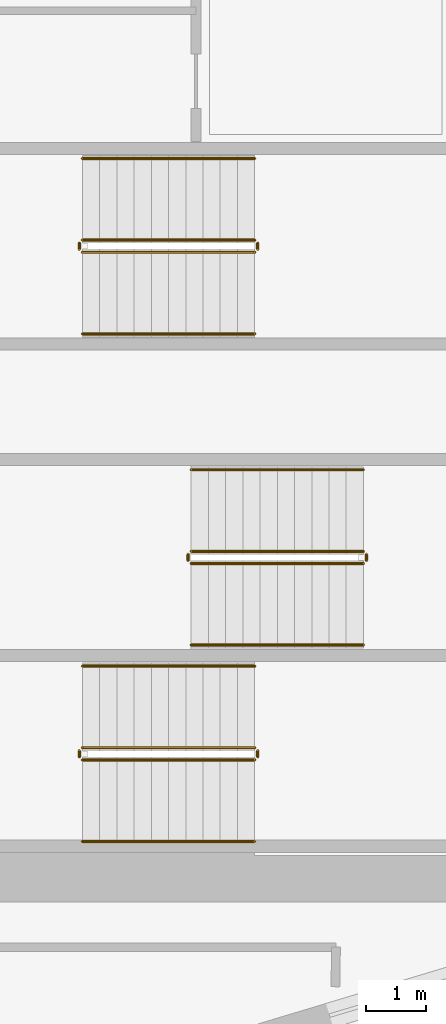
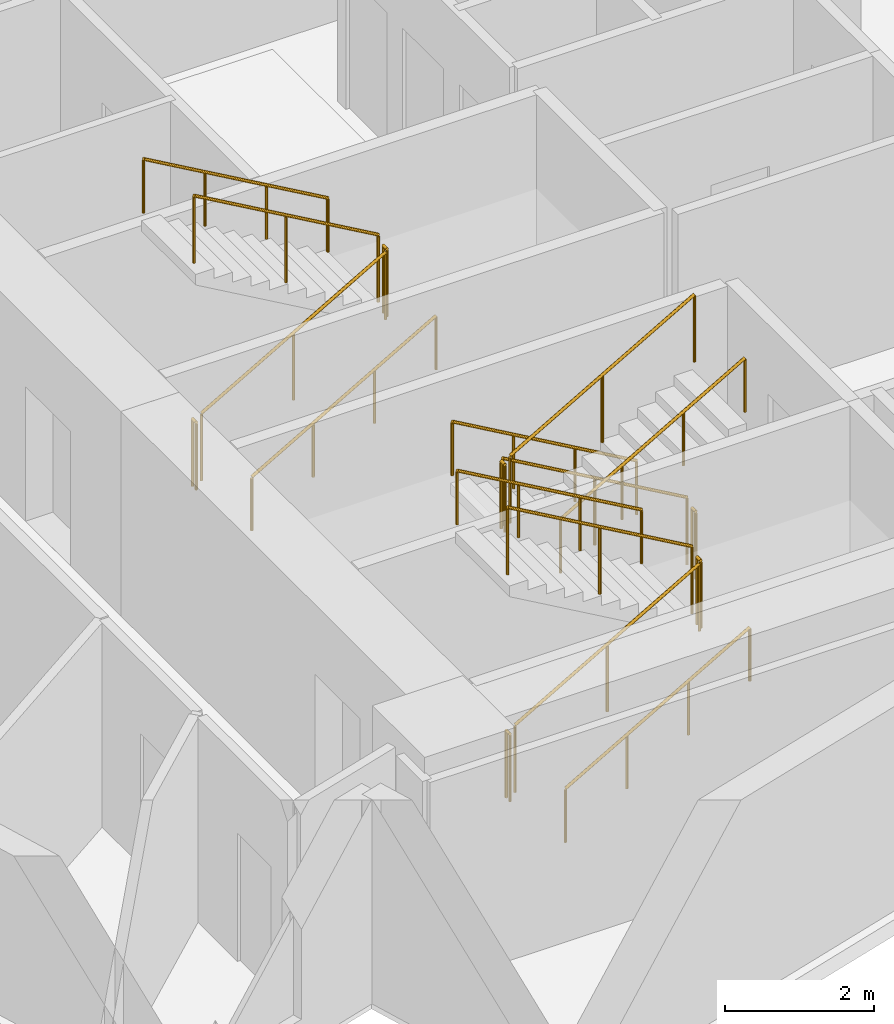
# One storey, part 14 of 15: 18 railings.
"""IFC4 building model written with IfcOpenShell, lengths in metres."""

import ifcopenshell
import ifcopenshell.guid

model = None  # the IFC model being written
_history = None  # IfcOwnerHistory: only IFC2X3 demands one
_inside = {}  # id of a spatial element -> (the spatial element, [elements in it])
_under = {}  # id of a project, library or spatial element -> (it, [spatial elements below it])
_declared = {}  # id of a project -> (the project, [libraries it declares])
_typed = {}  # id of a type object -> (the type object, [elements of that type])
_made_of = {}  # id of a material, layer set ... -> (it, [elements and type objects made of it])


def new_model(schema):
    """Start an empty IFC model of exactly this schema.

    Asked for "IFC4X3", IfcOpenShell would pick the latest addendum, in which some entities
    have other attributes; the version numbers below select the first issue.
    IFC2X3 requires an IfcOwnerHistory on every rooted entity: one is made here for all.
    """
    global model, _history
    if schema == "IFC4X3":
        model = ifcopenshell.file(schema_version=(4, 3, 0, 0))
    else:
        model = ifcopenshell.file(schema=schema)
    _inside.clear()
    _under.clear()
    _declared.clear()
    _typed.clear()
    _made_of.clear()
    _history = None
    if model.schema == "IFC2X3":
        org = make("IfcOrganization", Name="unknown")
        user = make(
            "IfcPersonAndOrganization",
            ThePerson=make("IfcPerson", FamilyName="unknown"),
            TheOrganization=org,
        )
        app = make(
            "IfcApplication",
            ApplicationDeveloper=org,
            Version="unknown",
            ApplicationFullName="unknown",
            ApplicationIdentifier="unknown",
        )
        _history = make(
            "IfcOwnerHistory",
            OwningUser=user,
            OwningApplication=app,
            ChangeAction="ADDED",
            CreationDate=0,
        )
    return model


def make(cls, **values):
    """One entity of the class cls with the attributes given. An attribute that is None is left unset."""
    return model.create_entity(
        cls, **{name: value for name, value in values.items() if value is not None}
    )


def rooted(cls, **values):
    """An entity with a GlobalId (a new one), such as an element, a storey or a relation."""
    return make(cls, GlobalId=ifcopenshell.guid.new(), OwnerHistory=_history, **values)


def si_unit(unit_type, name, prefix=None):
    """IfcSIUnit, for example si_unit("LENGTHUNIT", "METRE", prefix="MILLI")."""
    return make("IfcSIUnit", UnitType=unit_type, Prefix=prefix, Name=name)


def assignment(units):
    """IfcUnitAssignment: the units of a project."""
    return None if units is None else make("IfcUnitAssignment", Units=units)


def point(xyz):
    """IfcCartesianPoint."""
    return None if xyz is None else make("IfcCartesianPoint", Coordinates=xyz)


def direction(xyz):
    """IfcDirection."""
    return None if xyz is None else make("IfcDirection", DirectionRatios=xyz)


def frame(location, z_axis=None, x_axis=None):
    """IfcAxis2Placement3D, a coordinate frame: its origin and axes. An axis left out is left unset."""
    return make(
        "IfcAxis2Placement3D",
        Location=point(location),
        Axis=direction(z_axis),
        RefDirection=direction(x_axis),
    )


def frame_2d(location, x_axis=None):
    """IfcAxis2Placement2D, a coordinate frame in the plane: its origin and x axis."""
    return make(
        "IfcAxis2Placement2D", Location=point(location), RefDirection=direction(x_axis)
    )


def origin():
    """The frame at (0, 0, 0) with its axes left unset."""
    return frame((0.0, 0.0, 0.0))


def origin_2d():
    """The frame at (0, 0) in the plane with its x axis left unset."""
    return frame_2d((0.0, 0.0))


def place(relative_to, where):
    """IfcLocalPlacement: puts the frame where relative to a parent placement (None: the world)."""
    return make(
        "IfcLocalPlacement", PlacementRelTo=relative_to, RelativePlacement=where
    )


def context(
    kind, dimensions, precision=None, world=None, true_north=None, identifier=None
):
    """IfcGeometricRepresentationContext, for example the 3D "Model" context."""
    return make(
        "IfcGeometricRepresentationContext",
        ContextIdentifier=identifier,
        ContextType=kind,
        CoordinateSpaceDimension=dimensions,
        Precision=precision,
        WorldCoordinateSystem=world,
        TrueNorth=true_north,
    )


def subcontext(parent, identifier, kind, view, scale=None):
    """IfcGeometricRepresentationSubContext, for example "Body" below "Model"."""
    return make(
        "IfcGeometricRepresentationSubContext",
        ContextIdentifier=identifier,
        ContextType=kind,
        ParentContext=parent,
        TargetScale=scale,
        TargetView=view,
    )


def project(units=None, contexts=None):
    """IfcProject with its units and contexts."""
    return rooted(
        "IfcProject",
        Name="project",
        RepresentationContexts=contexts,
        UnitsInContext=assignment(units),
    )


def spatial(cls, under=None, at=None, **own):
    """A site, building, storey or space (cls), placed at a placement, below another one or the project."""
    s = rooted(cls, ObjectPlacement=at, **own)
    if under is not None:
        _under.setdefault(under.id(), (under, []))[1].append(s)
    return s


def profile(cls, at=None, kind="AREA", **sizes):
    """A parametric profile (cls). Its sizes go by their IFC names, for example OverallWidth=200.0."""
    return make(cls, ProfileType=kind, Position=at, **sizes)


def circle(**sizes):
    """IfcCircleProfileDef."""
    return profile("IfcCircleProfileDef", **sizes)


def extrude(swept, where, along, depth):
    """IfcExtrudedAreaSolid: the profile swept, set in the frame where, extruded along a direction by depth."""
    return make(
        "IfcExtrudedAreaSolid",
        SweptArea=swept,
        Position=where,
        ExtrudedDirection=direction(along),
        Depth=depth,
    )


def shape(context_of_items, identifier, shape_type, items):
    """IfcShapeRepresentation: the items that make up one representation, for example the "Body"."""
    return make(
        "IfcShapeRepresentation",
        ContextOfItems=context_of_items,
        RepresentationIdentifier=identifier,
        RepresentationType=shape_type,
        Items=items,
    )


def material(Name=None, Category=None):
    """IfcMaterial."""
    return make("IfcMaterial", Name=Name, Category=Category)


def made_of(thing, what):
    """Note that an element or type object is made of a material, layer set ...; save() writes the relation."""
    if what is not None:
        _made_of.setdefault(what.id(), (what, []))[1].append(thing)
    return thing


def type_object(cls, material=None, **own):
    """A type object (cls), such as IfcWallType, which elements share."""
    return made_of(rooted(cls, **own), material)


def element(
    cls,
    number,
    at=None,
    inside=None,
    cuts=None,
    type_object=None,
    material=None,
    context=None,
    identifier="Body",
    shape_type=None,
    held_by="IfcProductDefinitionShape",
    body=None,
    shapes=None,
    **own,
):
    """One element of the class cls, such as IfcWall. Its Tag is "e" and its number.

    at: its placement. inside: the storey or other place that contains it. cuts: it is an
    opening in that element (IfcRelVoidsElement). A single representation is given by context,
    identifier, shape_type and body (its items); several are given by shapes. held_by: the class
    of the entity that holds the representations. save() writes the other relations.
    """
    e = rooted(cls, Tag="e%d" % number, ObjectPlacement=at, **own)
    if body is not None:
        shapes = [shape(context, identifier, shape_type, body)]
    if shapes is not None:
        e.Representation = make(held_by, Representations=shapes)
    if inside is not None:
        _inside.setdefault(inside.id(), (inside, []))[1].append(e)
    if cuts is not None:
        rooted(
            "IfcRelVoidsElement", RelatingBuildingElement=cuts, RelatedOpeningElement=e
        )
    if type_object is not None:
        _typed.setdefault(type_object.id(), (type_object, []))[1].append(e)
    return made_of(e, material)


def aggregate(whole, parts):
    """IfcRelAggregates: a whole, such as a stair, and the parts it consists of."""
    return rooted("IfcRelAggregates", RelatingObject=whole, RelatedObjects=parts)


def save(model, path):
    """Write the relations noted so far, then the file.

    IfcRelAggregates (storeys below a building ...), IfcRelContainedInSpatialStructure (elements
    in a storey), IfcRelDefinesByType, IfcRelAssociatesMaterial and IfcRelDeclares: one each for
    every whole, place, type object, material and project.
    """
    for whole, parts in _under.values():
        aggregate(whole, parts)
    for where, things in _inside.values():
        rooted(
            "IfcRelContainedInSpatialStructure",
            RelatedElements=things,
            RelatingStructure=where,
        )
    for kind, things in _typed.values():
        rooted("IfcRelDefinesByType", RelatedObjects=things, RelatingType=kind)
    for what, things in _made_of.values():
        rooted("IfcRelAssociatesMaterial", RelatedObjects=things, RelatingMaterial=what)
    for by, libraries in _declared.values():
        rooted("IfcRelDeclares", RelatingContext=by, RelatedDefinitions=libraries)
    model.write(path)


model = new_model("IFC4")

# Units and contexts
model_context = context("Model", 3, precision=1e-05, world=origin(), true_north=direction((0.0, 1.0)))
body_context = subcontext(model_context, "Body", "Model", "MODEL_VIEW")
ifc_project = project(units=[si_unit("LENGTHUNIT", "METRE"), si_unit("AREAUNIT", "SQUARE_METRE"), si_unit("VOLUMEUNIT", "CUBIC_METRE"), si_unit("PLANEANGLEUNIT", "RADIAN"), si_unit("MASSUNIT", "GRAM", prefix="KILO")], contexts=[model_context])

# Site, building, storey
site_placement = place(None, origin())
site = spatial("IfcSite", under=ifc_project, at=site_placement, CompositionType="ELEMENT")
building_placement = place(site_placement, origin())
building = spatial("IfcBuilding", under=site, at=building_placement, Name="Narakoshi Arena Tower", CompositionType="ELEMENT")
storey_placement = place(building_placement, frame((0.0, 0.0, 157.5)))
storey = spatial("IfcBuildingStorey", under=building, at=storey_placement, Name="L42", CompositionType="ELEMENT", Elevation=157.5)

# Railings
ifc_material_1 = material(Name="Clear low-iron laminated structural glass", Category="glass")
railing_type_1 = type_object("IfcRailingType", Name="RL-BAL-1100", PredefinedType="BALUSTRADE", material=ifc_material_1)
railing_1_placement = place(storey_placement, frame((74.39990234375, 36.949951171875, 0.16357421875)))
element("IfcRailing", 1, at=railing_1_placement, inside=storey, type_object=railing_type_1, Name="L42 ST1 stair guard 1", PredefinedType="BALUSTRADE", context=body_context, shape_type="SweptSolid", body=[
    extrude(circle(Radius=0.02392578125, at=origin_2d()), frame((0.0, 0.0, 1.09619140625), z_axis=(0.86721270334, 0.0, 0.497937874806), x_axis=(0.0, 1.0, 0.0)), (0.0, 0.0, 1.0), 3.28662109375),
    extrude(circle(Radius=0.02099609375, at=origin_2d()), origin(), (0.0, 0.0, 1.0), 1.072021484375),
    extrude(circle(Radius=0.02099609375, at=origin_2d()), frame((1.425048828125, 0.0, 0.818359375)), (0.0, 0.0, 1.0), 1.072021484375),
    extrude(circle(Radius=0.02099609375, at=origin_2d()), frame((2.85009765625, 0.0, 1.636474609375)), (0.0, 0.0, 1.0), 1.072021484375),
])
railing_2_placement = place(storey_placement, frame((77.300048828125, 37.0, 1.800048828125)))
element("IfcRailing", 2, at=railing_2_placement, inside=storey, type_object=railing_type_1, Name="L42 ST1 stair guard 2", PredefinedType="BALUSTRADE", context=body_context, shape_type="SweptSolid", body=[
    extrude(circle(Radius=0.02392578125, at=origin_2d()), frame((0.0, 0.0, 1.09619140625), z_axis=(0.0, 1.0, 0.0), x_axis=(-1.0, 0.0, 0.0)), (0.0, 0.0, 1.0), 0.10009765625),
    extrude(circle(Radius=0.02099609375, at=origin_2d()), origin(), (0.0, 0.0, 1.0), 1.072021484375),
    extrude(circle(Radius=0.02099609375, at=origin_2d()), frame((0.0, 0.10009765625, 0.0)), (0.0, 0.0, 1.0), 1.072021484375),
])
railing_3_placement = place(storey_placement, frame((77.25, 37.14990234375, 1.963623046875)))
element("IfcRailing", 3, at=railing_3_placement, inside=storey, type_object=railing_type_1, Name="L42 ST1 stair guard 3", PredefinedType="BALUSTRADE", context=body_context, shape_type="SweptSolid", body=[
    extrude(circle(Radius=0.02392578125, at=origin_2d()), frame((0.0, 0.0, 1.09619140625), z_axis=(-0.86721270334, 0.0, 0.497937874806), x_axis=(0.0, -1.0, 0.0)), (0.0, 0.0, 1.0), 3.28662109375),
    extrude(circle(Radius=0.02099609375, at=origin_2d()), origin(), (0.0, 0.0, 1.0), 1.072021484375),
    extrude(circle(Radius=0.02099609375, at=origin_2d()), frame((-1.425048828125, 0.0, 0.818359375)), (0.0, 0.0, 1.0), 1.072021484375),
    extrude(circle(Radius=0.02099609375, at=origin_2d()), frame((-2.85009765625, 0.0, 1.636474609375)), (0.0, 0.0, 1.0), 1.072021484375),
])
railing_4_placement = place(storey_placement, frame((74.35009765625, 37.0, 0.0)))
element("IfcRailing", 4, at=railing_4_placement, inside=storey, type_object=railing_type_1, Name="L42 ST1 stair guard 4", PredefinedType="BALUSTRADE", context=body_context, shape_type="SweptSolid", body=[
    extrude(circle(Radius=0.02392578125, at=origin_2d()), frame((0.0, 0.0, 1.09619140625), z_axis=(0.0, 1.0, 0.0), x_axis=(-1.0, 0.0, 0.0)), (0.0, 0.0, 1.0), 0.10009765625),
    extrude(circle(Radius=0.02099609375, at=origin_2d()), origin(), (0.0, 0.0, 1.0), 1.072021484375),
    extrude(circle(Radius=0.02099609375, at=origin_2d()), frame((0.0, 0.10009765625, 0.0)), (0.0, 0.0, 1.0), 1.072021484375),
])
railing_5_placement = place(storey_placement, frame((79.050048828125, 40.39990234375, 0.16357421875)))
element("IfcRailing", 5, at=railing_5_placement, inside=storey, type_object=railing_type_1, Name="L42 ST2 stair guard 1", PredefinedType="BALUSTRADE", context=body_context, shape_type="SweptSolid", body=[
    extrude(circle(Radius=0.02392578125, at=origin_2d()), frame((0.0, 0.0, 1.09619140625), z_axis=(-0.86721270334, 0.0, 0.497937874806), x_axis=(0.0, -1.0, 0.0)), (0.0, 0.0, 1.0), 3.28662109375),
    extrude(circle(Radius=0.02099609375, at=origin_2d()), origin(), (0.0, 0.0, 1.0), 1.072021484375),
    extrude(circle(Radius=0.02099609375, at=origin_2d()), frame((-1.425048828125, 0.0, 0.818359375)), (0.0, 0.0, 1.0), 1.072021484375),
    extrude(circle(Radius=0.02099609375, at=origin_2d()), frame((-2.85009765625, 0.0, 1.636474609375)), (0.0, 0.0, 1.0), 1.072021484375),
])
railing_6_placement = place(storey_placement, frame((76.14990234375, 40.35009765625, 1.800048828125)))
element("IfcRailing", 6, at=railing_6_placement, inside=storey, type_object=railing_type_1, Name="L42 ST2 stair guard 2", PredefinedType="BALUSTRADE", context=body_context, shape_type="SweptSolid", body=[
    extrude(circle(Radius=0.02392578125, at=origin_2d()), frame((0.0, 0.0, 1.09619140625), z_axis=(0.0, -1.0, 0.0), x_axis=(1.0, 0.0, 0.0)), (0.0, 0.0, 1.0), 0.10009765625),
    extrude(circle(Radius=0.02099609375, at=origin_2d()), origin(), (0.0, 0.0, 1.0), 1.072021484375),
    extrude(circle(Radius=0.02099609375, at=origin_2d()), frame((0.0, -0.10009765625, 0.0)), (0.0, 0.0, 1.0), 1.072021484375),
])
railing_7_placement = place(storey_placement, frame((76.199951171875, 40.199951171875, 1.963623046875)))
element("IfcRailing", 7, at=railing_7_placement, inside=storey, type_object=railing_type_1, Name="L42 ST2 stair guard 3", PredefinedType="BALUSTRADE", context=body_context, shape_type="SweptSolid", body=[
    extrude(circle(Radius=0.02392578125, at=origin_2d()), frame((0.0, 0.0, 1.09619140625), z_axis=(0.86721270334, 0.0, 0.497937874806), x_axis=(0.0, 1.0, 0.0)), (0.0, 0.0, 1.0), 3.28662109375),
    extrude(circle(Radius=0.02099609375, at=origin_2d()), origin(), (0.0, 0.0, 1.0), 1.072021484375),
    extrude(circle(Radius=0.02099609375, at=origin_2d()), frame((1.425048828125, 0.0, 0.818359375)), (0.0, 0.0, 1.0), 1.072021484375),
    extrude(circle(Radius=0.02099609375, at=origin_2d()), frame((2.85009765625, 0.0, 1.636474609375)), (0.0, 0.0, 1.0), 1.072021484375),
])
railing_8_placement = place(storey_placement, frame((79.10009765625, 40.35009765625, 0.0)))
element("IfcRailing", 8, at=railing_8_placement, inside=storey, type_object=railing_type_1, Name="L42 ST2 stair guard 4", PredefinedType="BALUSTRADE", context=body_context, shape_type="SweptSolid", body=[
    extrude(circle(Radius=0.02392578125, at=origin_2d()), frame((0.0, 0.0, 1.09619140625), z_axis=(0.0, -1.0, 0.0), x_axis=(1.0, 0.0, 0.0)), (0.0, 0.0, 1.0), 0.10009765625),
    extrude(circle(Radius=0.02099609375, at=origin_2d()), origin(), (0.0, 0.0, 1.0), 1.072021484375),
    extrude(circle(Radius=0.02099609375, at=origin_2d()), frame((0.0, -0.10009765625, 0.0)), (0.0, 0.0, 1.0), 1.072021484375),
])
railing_9_placement = place(storey_placement, frame((74.39990234375, 45.35009765625, 0.16357421875)))
element("IfcRailing", 9, at=railing_9_placement, inside=storey, type_object=railing_type_1, Name="L42 ST3 stair guard 1", PredefinedType="BALUSTRADE", context=body_context, shape_type="SweptSolid", body=[
    extrude(circle(Radius=0.02392578125, at=origin_2d()), frame((0.0, 0.0, 1.09619140625), z_axis=(0.86721270334, 0.0, 0.497937874806), x_axis=(0.0, 1.0, 0.0)), (0.0, 0.0, 1.0), 3.28662109375),
    extrude(circle(Radius=0.02099609375, at=origin_2d()), origin(), (0.0, 0.0, 1.0), 1.072021484375),
    extrude(circle(Radius=0.02099609375, at=origin_2d()), frame((1.425048828125, 0.0, 0.818359375)), (0.0, 0.0, 1.0), 1.072021484375),
    extrude(circle(Radius=0.02099609375, at=origin_2d()), frame((2.85009765625, 0.0, 1.636474609375)), (0.0, 0.0, 1.0), 1.072021484375),
])
railing_10_placement = place(storey_placement, frame((77.300048828125, 45.39990234375, 1.800048828125)))
element("IfcRailing", 10, at=railing_10_placement, inside=storey, type_object=railing_type_1, Name="L42 ST3 stair guard 2", PredefinedType="BALUSTRADE", context=body_context, shape_type="SweptSolid", body=[
    extrude(circle(Radius=0.02392578125, at=origin_2d()), frame((0.0, 0.0, 1.09619140625), z_axis=(0.0, 1.0, 0.0), x_axis=(-1.0, 0.0, 0.0)), (0.0, 0.0, 1.0), 0.10009765625),
    extrude(circle(Radius=0.02099609375, at=origin_2d()), origin(), (0.0, 0.0, 1.0), 1.072021484375),
    extrude(circle(Radius=0.02099609375, at=origin_2d()), frame((0.0, 0.10009765625, 0.0)), (0.0, 0.0, 1.0), 1.072021484375),
])
railing_11_placement = place(storey_placement, frame((77.25, 45.550048828125, 1.963623046875)))
element("IfcRailing", 11, at=railing_11_placement, inside=storey, type_object=railing_type_1, Name="L42 ST3 stair guard 3", PredefinedType="BALUSTRADE", context=body_context, shape_type="SweptSolid", body=[
    extrude(circle(Radius=0.02392578125, at=origin_2d()), frame((0.0, 0.0, 1.09619140625), z_axis=(-0.86721270334, 0.0, 0.497937874806), x_axis=(0.0, -1.0, 0.0)), (0.0, 0.0, 1.0), 3.28662109375),
    extrude(circle(Radius=0.02099609375, at=origin_2d()), origin(), (0.0, 0.0, 1.0), 1.072021484375),
    extrude(circle(Radius=0.02099609375, at=origin_2d()), frame((-1.425048828125, 0.0, 0.818359375)), (0.0, 0.0, 1.0), 1.072021484375),
    extrude(circle(Radius=0.02099609375, at=origin_2d()), frame((-2.85009765625, 0.0, 1.636474609375)), (0.0, 0.0, 1.0), 1.072021484375),
])
railing_12_placement = place(storey_placement, frame((74.35009765625, 45.39990234375, 0.0)))
element("IfcRailing", 12, at=railing_12_placement, inside=storey, type_object=railing_type_1, Name="L42 ST3 stair guard 4", PredefinedType="BALUSTRADE", context=body_context, shape_type="SweptSolid", body=[
    extrude(circle(Radius=0.02392578125, at=origin_2d()), frame((0.0, 0.0, 1.09619140625), z_axis=(0.0, 1.0, 0.0), x_axis=(-1.0, 0.0, 0.0)), (0.0, 0.0, 1.0), 0.10009765625),
    extrude(circle(Radius=0.02099609375, at=origin_2d()), origin(), (0.0, 0.0, 1.0), 1.072021484375),
    extrude(circle(Radius=0.02099609375, at=origin_2d()), frame((0.0, 0.10009765625, 0.0)), (0.0, 0.0, 1.0), 1.072021484375),
])
ifc_material_2 = material(Name="Brushed bronze stainless steel", Category="steel")
railing_type_2 = type_object("IfcRailingType", Name="RL-HND-900", PredefinedType="HANDRAIL", material=ifc_material_2)
railing_13_placement = place(storey_placement, frame((74.39990234375, 35.60009765625, 0.16357421875)))
element("IfcRailing", 13, at=railing_13_placement, inside=storey, type_object=railing_type_2, Name="L42 ST1 stair handrail 1", PredefinedType="HANDRAIL", context=body_context, shape_type="SweptSolid", body=[
    extrude(circle(Radius=0.02392578125, at=origin_2d()), frame((0.0, 0.0, 0.8759765625), z_axis=(0.86721270334, 0.0, 0.497937874806), x_axis=(0.0, 1.0, 0.0)), (0.0, 0.0, 1.0), 3.28662109375),
    extrude(circle(Radius=0.02099609375, at=origin_2d()), origin(), (0.0, 0.0, 1.0), 0.851806640625),
    extrude(circle(Radius=0.02099609375, at=origin_2d()), frame((0.949951171875, 0.0, 0.54541015625)), (0.0, 0.0, 1.0), 0.851806640625),
    extrude(circle(Radius=0.02099609375, at=origin_2d()), frame((1.900146484375, 0.0, 1.091064453125)), (0.0, 0.0, 1.0), 0.851806640625),
    extrude(circle(Radius=0.02099609375, at=origin_2d()), frame((2.85009765625, 0.0, 1.636474609375)), (0.0, 0.0, 1.0), 0.851806640625),
])
for number, where, name in (
    (14, (77.25, 38.5, 1.963623046875), "L42 ST1 stair handrail 2"),
    (15, (79.050048828125, 41.75, 0.16357421875), "L42 ST2 stair handrail 1"),
):
    element("IfcRailing", number, at=place(storey_placement, frame(where)), inside=storey, type_object=railing_type_2, Name=name, PredefinedType="HANDRAIL", context=body_context, shape_type="SweptSolid", body=[
        extrude(circle(Radius=0.02392578125, at=origin_2d()), frame((0.0, 0.0, 0.8759765625), z_axis=(-0.86721270334, 0.0, 0.497937874806), x_axis=(0.0, -1.0, 0.0)), (0.0, 0.0, 1.0), 3.28662109375),
        extrude(circle(Radius=0.02099609375, at=origin_2d()), origin(), (0.0, 0.0, 1.0), 0.851806640625),
        extrude(circle(Radius=0.02099609375, at=origin_2d()), frame((-0.949951171875, 0.0, 0.54541015625)), (0.0, 0.0, 1.0), 0.851806640625),
        extrude(circle(Radius=0.02099609375, at=origin_2d()), frame((-1.900146484375, 0.0, 1.091064453125)), (0.0, 0.0, 1.0), 0.851806640625),
        extrude(circle(Radius=0.02099609375, at=origin_2d()), frame((-2.85009765625, 0.0, 1.636474609375)), (0.0, 0.0, 1.0), 0.851806640625),
    ])
for number, where, name in (
    (16, (76.199951171875, 38.85009765625, 1.963623046875), "L42 ST2 stair handrail 2"),
    (17, (74.39990234375, 44.0, 0.16357421875), "L42 ST3 stair handrail 1"),
):
    element("IfcRailing", number, at=place(storey_placement, frame(where)), inside=storey, type_object=railing_type_2, Name=name, PredefinedType="HANDRAIL", context=body_context, shape_type="SweptSolid", body=[
        extrude(circle(Radius=0.02392578125, at=origin_2d()), frame((0.0, 0.0, 0.8759765625), z_axis=(0.86721270334, 0.0, 0.497937874806), x_axis=(0.0, 1.0, 0.0)), (0.0, 0.0, 1.0), 3.28662109375),
        extrude(circle(Radius=0.02099609375, at=origin_2d()), origin(), (0.0, 0.0, 1.0), 0.851806640625),
        extrude(circle(Radius=0.02099609375, at=origin_2d()), frame((0.949951171875, 0.0, 0.54541015625)), (0.0, 0.0, 1.0), 0.851806640625),
        extrude(circle(Radius=0.02099609375, at=origin_2d()), frame((1.900146484375, 0.0, 1.091064453125)), (0.0, 0.0, 1.0), 0.851806640625),
        extrude(circle(Radius=0.02099609375, at=origin_2d()), frame((2.85009765625, 0.0, 1.636474609375)), (0.0, 0.0, 1.0), 0.851806640625),
    ])
railing_14_placement = place(storey_placement, frame((77.25, 46.89990234375, 1.963623046875)))
element("IfcRailing", 18, at=railing_14_placement, inside=storey, type_object=railing_type_2, Name="L42 ST3 stair handrail 2", PredefinedType="HANDRAIL", context=body_context, shape_type="SweptSolid", body=[
    extrude(circle(Radius=0.02392578125, at=origin_2d()), frame((0.0, 0.0, 0.8759765625), z_axis=(-0.86721270334, 0.0, 0.497937874806), x_axis=(0.0, -1.0, 0.0)), (0.0, 0.0, 1.0), 3.28662109375),
    extrude(circle(Radius=0.02099609375, at=origin_2d()), origin(), (0.0, 0.0, 1.0), 0.851806640625),
    extrude(circle(Radius=0.02099609375, at=origin_2d()), frame((-0.949951171875, 0.0, 0.54541015625)), (0.0, 0.0, 1.0), 0.851806640625),
    extrude(circle(Radius=0.02099609375, at=origin_2d()), frame((-1.900146484375, 0.0, 1.091064453125)), (0.0, 0.0, 1.0), 0.851806640625),
    extrude(circle(Radius=0.02099609375, at=origin_2d()), frame((-2.85009765625, 0.0, 1.636474609375)), (0.0, 0.0, 1.0), 0.851806640625),
])

save(model, "model.ifc")
